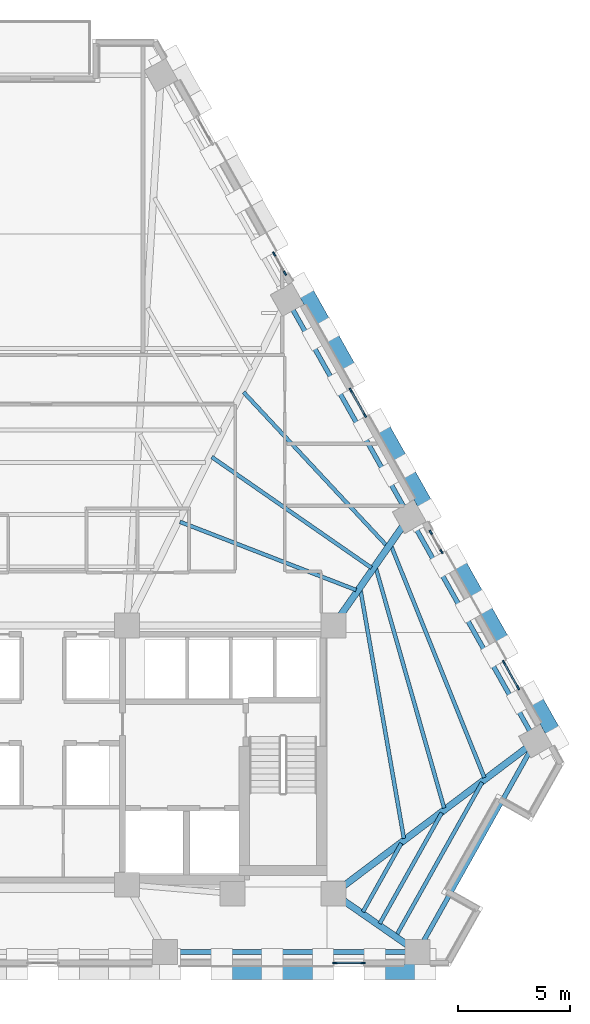
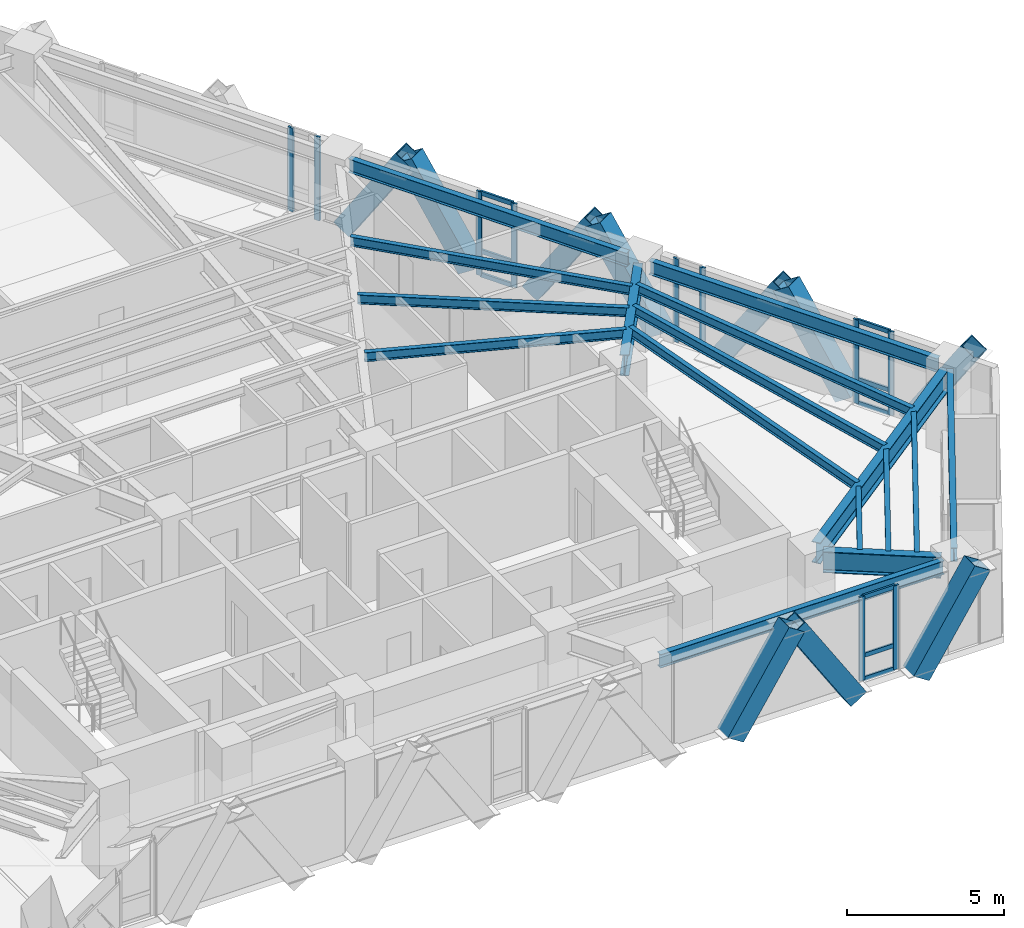
# One storey, part 4 of 13: 29 members, 16 beams, 5 elements without a shape of their own.
"""IFC4 building model written with IfcOpenShell, lengths in metres."""

from ifc_helpers import new_model, si_unit, direction, frame, origin, origin_2d, place, context, subcontext, project, spatial, rectangle, hollow_rectangle, i_section, extrude, material, material_profile, profile_set, type_object, element, aggregate, save


model = new_model("IFC4")

# Units and contexts
model_context = context("Model", 3, precision=1e-05, world=origin(), true_north=direction((0.0, 1.0)))
body_context = subcontext(model_context, "Body", "Model", "MODEL_VIEW")
ifc_project = project(units=[si_unit("LENGTHUNIT", "METRE"), si_unit("AREAUNIT", "SQUARE_METRE"), si_unit("VOLUMEUNIT", "CUBIC_METRE"), si_unit("PLANEANGLEUNIT", "RADIAN"), si_unit("MASSUNIT", "GRAM", prefix="KILO")], contexts=[model_context])

# Site, building, storey
site_placement = place(None, origin())
site = spatial("IfcSite", under=ifc_project, at=site_placement, CompositionType="ELEMENT")
building_placement = place(site_placement, origin())
building = spatial("IfcBuilding", under=site, at=building_placement, Name="Quenlor Broadcast Tower", CompositionType="ELEMENT")
storey_placement = place(building_placement, frame((0.0, 0.0, 95.0)))
storey = spatial("IfcBuildingStorey", under=building, at=storey_placement, Name="L25", CompositionType="ELEMENT", Elevation=95.0)

# Curtain wall, members
ifc_material_1 = material(Name="Architectural Terracotta and Low-E Glazing", Category="masonry")
curtain_wall_type = type_object("IfcCurtainWallType", Name="Unitised Terracotta Curtain Wall System Z2", PredefinedType="NOTDEFINED", material=ifc_material_1)
curtain_wall_1_placement = place(storey_placement, origin())
curtain_wall_1 = element("IfcCurtainWall", 1, at=curtain_wall_1_placement, inside=storey, type_object=curtain_wall_type, Name="L25 Curtain Wall CW2 (L25-SA-G1)", PredefinedType="NOTDEFINED")
ifc_material_2 = material(Name="Aluminium 6063-T6", Category="aluminium")
ifc_material_profile_1 = material_profile(ifc_material_2, rectangle(XDim=0.074951171875, YDim=0.199951171875, at=origin_2d()))
ifc_profile_set_1 = profile_set([ifc_material_profile_1], Name="Aluminium 6063-T6 MULL75x200")
member_type_1 = type_object("IfcMemberType", Name="CW2 Aluminium Mullion MULL_CW2", PredefinedType="MULLION", material=ifc_profile_set_1)
member_1_placement = place(storey_placement, frame((14.254150390625, -19.840087890625, 0.0), z_axis=(0.0, 0.0, 1.0), x_axis=(0.0, -1.0, 0.0)))
member_1 = element("IfcMember", 2, at=member_1_placement, type_object=member_type_1, Name="CW2 mullion 1", PredefinedType="MULLION", context=body_context, shape_type="SweptSolid", body=[
    extrude(rectangle(XDim=0.074951171875, YDim=0.199951171875, at=origin_2d()), origin(), (0.0, 0.0, 1.0), 3.25),
])
member_2_placement = place(storey_placement, frame((13.01611328125, -19.840087890625, 0.0), z_axis=(0.0, 0.0, 1.0), x_axis=(0.0, -1.0, 0.0)))
member_2 = element("IfcMember", 3, at=member_2_placement, type_object=member_type_1, Name="CW2 mullion 2", PredefinedType="MULLION", context=body_context, shape_type="SweptSolid", body=[
    extrude(rectangle(XDim=0.074951171875, YDim=0.199951171875, at=origin_2d()), origin(), (0.0, 0.0, 1.0), 3.25),
])

curtain_wall_2_placement = place(storey_placement, origin())
curtain_wall_2 = element("IfcCurtainWall", 4, at=curtain_wall_2_placement, inside=storey, type_object=curtain_wall_type, Name="L25 Curtain Wall CW2 (L25-NEA-G2)", PredefinedType="NOTDEFINED")
member_3_placement = place(storey_placement, frame((10.306396484375, 11.751220703125, 0.0), z_axis=(0.0, 0.0, 1.0), x_axis=(0.871580587336, 0.490252261371, 0.0)))
member_3 = element("IfcMember", 5, at=member_3_placement, type_object=member_type_1, Name="CW2 mullion 1", PredefinedType="MULLION", context=body_context, shape_type="SweptSolid", body=[
    extrude(rectangle(XDim=0.074951171875, YDim=0.199951171875, at=origin_2d()), origin(), (0.0, 0.0, 1.0), 3.25),
])
member_4_placement = place(storey_placement, frame((10.7880859375, 10.894775390625, 0.0), z_axis=(0.0, 0.0, 1.0), x_axis=(0.871580587336, 0.490252261371, 0.0)))
member_4 = element("IfcMember", 6, at=member_4_placement, type_object=member_type_1, Name="CW2 mullion 2", PredefinedType="MULLION", context=body_context, shape_type="SweptSolid", body=[
    extrude(rectangle(XDim=0.074951171875, YDim=0.199951171875, at=origin_2d()), origin(), (0.0, 0.0, 1.0), 3.25),
])
aggregate(curtain_wall_2, [member_3, member_4])

curtain_wall_3_placement = place(storey_placement, origin())
curtain_wall_3 = element("IfcCurtainWall", 7, at=curtain_wall_3_placement, inside=storey, type_object=curtain_wall_type, Name="L25 Curtain Wall CW2 (L25-NEC-G1)", PredefinedType="NOTDEFINED")
member_5_placement = place(storey_placement, frame((17.282958984375, -0.651611328125, 0.0), z_axis=(0.0, 0.0, 1.0), x_axis=(0.871580587336, 0.490252261371, 0.0)))
member_5 = element("IfcMember", 8, at=member_5_placement, type_object=member_type_1, Name="CW2 mullion 1", PredefinedType="MULLION", context=body_context, shape_type="SweptSolid", body=[
    extrude(rectangle(XDim=0.074951171875, YDim=0.199951171875, at=origin_2d()), origin(), (0.0, 0.0, 1.0), 3.25),
])
member_6_placement = place(storey_placement, frame((17.7646484375, -1.508056640625, 0.0), z_axis=(0.0, 0.0, 1.0), x_axis=(0.871580587336, 0.490252261371, 0.0)))
member_6 = element("IfcMember", 9, at=member_6_placement, type_object=member_type_1, Name="CW2 mullion 2", PredefinedType="MULLION", context=body_context, shape_type="SweptSolid", body=[
    extrude(rectangle(XDim=0.074951171875, YDim=0.199951171875, at=origin_2d()), origin(), (0.0, 0.0, 1.0), 3.25),
])
aggregate(curtain_wall_3, [member_5, member_6])

curtain_wall_4_placement = place(storey_placement, origin())
curtain_wall_4 = element("IfcCurtainWall", 10, at=curtain_wall_4_placement, inside=storey, type_object=curtain_wall_type, Name="L25 Curtain Wall CW2 (L25-NEC-G2)", PredefinedType="NOTDEFINED")
member_7_placement = place(storey_placement, frame((20.545654296875, -6.451904296875, 0.0), z_axis=(0.0, 0.0, 1.0), x_axis=(0.871565749621, 0.490278639232, 0.0)))
member_7 = element("IfcMember", 11, at=member_7_placement, type_object=member_type_1, Name="CW2 mullion 1", PredefinedType="MULLION", context=body_context, shape_type="SweptSolid", body=[
    extrude(rectangle(XDim=0.074951171875, YDim=0.199951171875, at=origin_2d()), origin(), (0.0, 0.0, 1.0), 3.25),
])
member_8_placement = place(storey_placement, frame((21.177734375, -7.57568359375, 0.0), z_axis=(0.0, 0.0, 1.0), x_axis=(0.871565749621, 0.490278639232, 0.0)))
member_8 = element("IfcMember", 12, at=member_8_placement, type_object=member_type_1, Name="CW2 mullion 2", PredefinedType="MULLION", context=body_context, shape_type="SweptSolid", body=[
    extrude(rectangle(XDim=0.074951171875, YDim=0.199951171875, at=origin_2d()), origin(), (0.0, 0.0, 1.0), 3.25),
])

curtain_wall_5_placement = place(storey_placement, origin())
curtain_wall_5 = element("IfcCurtainWall", 13, at=curtain_wall_5_placement, inside=storey, type_object=curtain_wall_type, Name="L25 Curtain Wall CW2 (L25-NE-G1)", PredefinedType="NOTDEFINED")
member_9_placement = place(storey_placement, frame((13.719482421875, 5.683349609375, 0.0), z_axis=(0.0, 0.0, 1.0), x_axis=(0.871579452423, 0.490254279037, 0.0)))
member_9 = element("IfcMember", 14, at=member_9_placement, type_object=member_type_1, Name="CW2 mullion 1", PredefinedType="MULLION", context=body_context, shape_type="SweptSolid", body=[
    extrude(rectangle(XDim=0.074951171875, YDim=0.199951171875, at=origin_2d()), origin(), (0.0, 0.0, 1.0), 3.25),
])
member_10_placement = place(storey_placement, frame((14.3515625, 4.559814453125, 0.0), z_axis=(0.0, 0.0, 1.0), x_axis=(0.871579452423, 0.490254279037, 0.0)))
member_10 = element("IfcMember", 15, at=member_10_placement, type_object=member_type_1, Name="CW2 mullion 2", PredefinedType="MULLION", context=body_context, shape_type="SweptSolid", body=[
    extrude(rectangle(XDim=0.074951171875, YDim=0.199951171875, at=origin_2d()), origin(), (0.0, 0.0, 1.0), 3.25),
])

# Member
ifc_material_3 = material(Name="Aluminium 6063-T6", Category="aluminium")
ifc_material_profile_2 = material_profile(ifc_material_3, rectangle(XDim=0.074951171875, YDim=0.1650390625, at=origin_2d()))
ifc_profile_set_2 = profile_set([ifc_material_profile_2], Name="Aluminium 6063-T6 TRAN75x165")
member_type_2 = type_object("IfcMemberType", Name="CW2 Aluminium Transom TRAN_CW2", PredefinedType="USERDEFINED", material=ifc_profile_set_2)
member_11_placement = place(storey_placement, frame((14.216796875, -19.840087890625, 0.03759765625), z_axis=(-1.0, 0.0, 0.0), x_axis=(0.0, -1.0, 0.0)))
member_11 = element("IfcMember", 16, at=member_11_placement, type_object=member_type_2, Name="CW2 transom 1.1", ObjectType="TRANSOM", PredefinedType="USERDEFINED", context=body_context, shape_type="SweptSolid", body=[
    extrude(rectangle(XDim=0.074951171875, YDim=0.1650390625, at=origin_2d()), origin(), (0.0, 0.0, 1.0), 1.1630859375),
])

member_12_placement = place(storey_placement, frame((14.216796875, -19.840087890625, 0.949951171875), z_axis=(-1.0, 0.0, 0.0), x_axis=(0.0, -1.0, 0.0)))
member_12 = element("IfcMember", 17, at=member_12_placement, type_object=member_type_2, Name="CW2 transom 1.2", ObjectType="TRANSOM", PredefinedType="USERDEFINED", context=body_context, shape_type="SweptSolid", body=[
    extrude(rectangle(XDim=0.074951171875, YDim=0.1650390625, at=origin_2d()), origin(), (0.0, 0.0, 1.0), 1.1630859375),
])

member_13_placement = place(storey_placement, frame((14.216796875, -19.840087890625, 3.21240234375), z_axis=(-1.0, 0.0, 0.0), x_axis=(0.0, -1.0, 0.0)))
member_13 = element("IfcMember", 18, at=member_13_placement, type_object=member_type_2, Name="CW2 transom 1.3", ObjectType="TRANSOM", PredefinedType="USERDEFINED", context=body_context, shape_type="SweptSolid", body=[
    extrude(rectangle(XDim=0.074951171875, YDim=0.1650390625, at=origin_2d()), origin(), (0.0, 0.0, 1.0), 1.1630859375),
])

aggregate(curtain_wall_1, [member_1, member_2, member_11, member_12, member_13])

member_14_placement = place(storey_placement, frame((20.56396484375, -6.484619140625, 0.03759765625), z_axis=(0.490347143438, -0.871527210661, 0.0), x_axis=(0.871527210661, 0.490347143438, 0.0)))
member_14 = element("IfcMember", 19, at=member_14_placement, type_object=member_type_2, Name="CW2 transom 1.1", ObjectType="TRANSOM", PredefinedType="USERDEFINED", context=body_context, shape_type="SweptSolid", body=[
    extrude(rectangle(XDim=0.074951171875, YDim=0.1650390625, at=origin_2d()), origin(), (0.0, 0.0, 1.0), 1.21435546875),
])

member_15_placement = place(storey_placement, frame((20.56396484375, -6.484619140625, 0.949951171875), z_axis=(0.490347143438, -0.871527210661, 0.0), x_axis=(0.871527210661, 0.490347143438, 0.0)))
member_15 = element("IfcMember", 20, at=member_15_placement, type_object=member_type_2, Name="CW2 transom 1.2", ObjectType="TRANSOM", PredefinedType="USERDEFINED", context=body_context, shape_type="SweptSolid", body=[
    extrude(rectangle(XDim=0.074951171875, YDim=0.1650390625, at=origin_2d()), origin(), (0.0, 0.0, 1.0), 1.21435546875),
])

member_16_placement = place(storey_placement, frame((20.56396484375, -6.484619140625, 3.21240234375), z_axis=(0.490347143438, -0.871527210661, 0.0), x_axis=(0.871527210661, 0.490347143438, 0.0)))
member_16 = element("IfcMember", 21, at=member_16_placement, type_object=member_type_2, Name="CW2 transom 1.3", ObjectType="TRANSOM", PredefinedType="USERDEFINED", context=body_context, shape_type="SweptSolid", body=[
    extrude(rectangle(XDim=0.074951171875, YDim=0.1650390625, at=origin_2d()), origin(), (0.0, 0.0, 1.0), 1.21435546875),
])

aggregate(curtain_wall_4, [member_7, member_8, member_14, member_15, member_16])

member_17_placement = place(storey_placement, frame((13.73779296875, 5.650634765625, 0.03759765625), z_axis=(0.490433072585, -0.871478858788, 0.0), x_axis=(0.871478858788, 0.490433072585, 0.0)))
member_17 = element("IfcMember", 22, at=member_17_placement, type_object=member_type_2, Name="CW2 transom 1.1", ObjectType="TRANSOM", PredefinedType="USERDEFINED", context=body_context, shape_type="SweptSolid", body=[
    extrude(rectangle(XDim=0.074951171875, YDim=0.1650390625, at=origin_2d()), origin(), (0.0, 0.0, 1.0), 1.214111328125),
])

member_18_placement = place(storey_placement, frame((13.73779296875, 5.650634765625, 0.949951171875), z_axis=(0.490433072585, -0.871478858788, 0.0), x_axis=(0.871478858788, 0.490433072585, 0.0)))
member_18 = element("IfcMember", 23, at=member_18_placement, type_object=member_type_2, Name="CW2 transom 1.2", ObjectType="TRANSOM", PredefinedType="USERDEFINED", context=body_context, shape_type="SweptSolid", body=[
    extrude(rectangle(XDim=0.074951171875, YDim=0.1650390625, at=origin_2d()), origin(), (0.0, 0.0, 1.0), 1.214111328125),
])

member_19_placement = place(storey_placement, frame((13.73779296875, 5.650634765625, 3.21240234375), z_axis=(0.490433072585, -0.871478858788, 0.0), x_axis=(0.871478858788, 0.490433072585, 0.0)))
member_19 = element("IfcMember", 24, at=member_19_placement, type_object=member_type_2, Name="CW2 transom 1.3", ObjectType="TRANSOM", PredefinedType="USERDEFINED", context=body_context, shape_type="SweptSolid", body=[
    extrude(rectangle(XDim=0.074951171875, YDim=0.1650390625, at=origin_2d()), origin(), (0.0, 0.0, 1.0), 1.214111328125),
])

aggregate(curtain_wall_5, [member_9, member_10, member_17, member_18, member_19])

# Members
ifc_material_4 = material(Name="Steel S355", Category="steel")
ifc_material_profile_3 = material_profile(ifc_material_4, hollow_rectangle(XDim=0.679931640625, YDim=0.679931640625, WallThickness=0.030029296875, at=origin_2d()))
ifc_profile_set_3 = profile_set([ifc_material_profile_3], Name="Steel S355 RHS680x680x30")
member_type_3 = type_object("IfcMemberType", Name="Perimeter Diagonal Lattice Brace Z2 Steel S355 RHS680x30", PredefinedType="BRACE", material=ifc_profile_set_3)
for number, where, z_axis, x_axis, name in (
    (25, (12.4853515625, -20.235107421875, -0.1201171875), (-0.539968035679, 0.0, 0.841685523485), (0.0, -1.0, 0.0), "L25 Perimeter Diamond Lattice S-C1S"),
    (26, (14.78515625, -20.235107421875, -0.1201171875), (0.539968035679, 0.0, 0.841685523485), (0.0, 1.0, 0.0), "L25 Perimeter Diamond Lattice S-C1B"),
    (27, (7.967529296875, -20.235107421875, -0.1201171875), (0.539968035679, 0.0, 0.841685523485), (0.0, 1.0, 0.0), "L25 Perimeter Diamond Lattice S-C2B"),
):
    element("IfcMember", number, at=place(storey_placement, frame(where, z_axis=z_axis, x_axis=x_axis)), inside=storey, type_object=member_type_3, Name=name, PredefinedType="BRACE", context=body_context, shape_type="SweptSolid", body=[
        extrude(hollow_rectangle(XDim=0.679931640625, YDim=0.679931640625, WallThickness=0.030029296875, at=origin_2d()), origin(), (0.0, 0.0, 1.0), 4.158203125),
    ])
member_20_placement = place(storey_placement, frame((11.54248046875, 10.359619140625, -0.1201171875), z_axis=(0.268634887212, -0.477637964099, 0.83647909276), x_axis=(0.871603971106, 0.490210686901, 0.0)))
element("IfcMember", 28, at=member_20_placement, inside=storey, type_object=member_type_3, Name="L25 Perimeter Diamond Lattice NE-C2S", PredefinedType="BRACE", context=body_context, shape_type="SweptSolid", body=[
    extrude(hollow_rectangle(XDim=0.679931640625, YDim=0.679931640625, WallThickness=0.030029296875, at=origin_2d()), origin(), (0.0, 0.0, 1.0), 4.184326171875),
])
for number, where, z_axis, x_axis, name in (
    (29, (14.955322265625, 4.291748046875, -0.1201171875), (0.268696511206, -0.477585438485, 0.836489290913), (0.871532878923, 0.490337068716, 0.0), "L25 Perimeter Diamond Lattice NE-C3S"),
    (30, (13.80419921875, 6.338623046875, -0.1201171875), (-0.268642373731, 0.477592925498, 0.83650240439), (-0.871578380919, -0.490256183964, 0.0), "L25 Perimeter Diamond Lattice NE-C3B"),
    (31, (18.368408203125, -1.77587890625, -0.1201171875), (0.268696511206, -0.477585438485, 0.836489290913), (0.871532878923, 0.490337068716, 0.0), "L25 Perimeter Diamond Lattice NE-C4S"),
    (32, (17.21728515625, 0.27099609375, -0.1201171875), (-0.268696511206, 0.477585438485, 0.836489290913), (-0.871532878923, -0.490337068716, 0.0), "L25 Perimeter Diamond Lattice NE-C4B"),
    (33, (21.781494140625, -7.843505859375, -0.1201171875), (0.268696511206, -0.477585438485, 0.836489290913), (0.871532878923, 0.490337068716, 0.0), "L25 Perimeter Diamond Lattice NE-C5S"),
    (34, (20.63037109375, -5.796630859375, -0.1201171875), (-0.268696511206, 0.477585438485, 0.836489290913), (-0.871532878923, -0.490337068716, 0.0), "L25 Perimeter Diamond Lattice NE-C5B"),
):
    element("IfcMember", number, at=place(storey_placement, frame(where, z_axis=z_axis, x_axis=x_axis)), inside=storey, type_object=member_type_3, Name=name, PredefinedType="BRACE", context=body_context, shape_type="SweptSolid", body=[
        extrude(hollow_rectangle(XDim=0.679931640625, YDim=0.679931640625, WallThickness=0.030029296875, at=origin_2d()), origin(), (0.0, 0.0, 1.0), 4.18408203125),
    ])

# Beams
ifc_material_5 = material(Name="Steel S355", Category="steel")
ifc_material_profile_4 = material_profile(ifc_material_5, i_section(OverallWidth=0.208984375, OverallDepth=0.5283203125, WebThickness=0.009521484375, FlangeThickness=0.01318359375, FilletRadius=0.013916015625, at=origin_2d()))
ifc_profile_set_4 = profile_set([ifc_material_profile_4], Name="Steel S355 530UB82.0")
beam_type_1 = type_object("IfcBeamType", Name="Perimeter Spandrel Beam Z2 Steel S355 530UB82.0", PredefinedType="SPANDREL", material=ifc_profile_set_4)
beam_1_placement = place(storey_placement, frame((5.853271484375, -19.35009765625, 2.98583984375), z_axis=(1.0, 0.0, 0.0), x_axis=(0.0, 1.0, 0.0)))
element("IfcBeam", 35, at=beam_1_placement, inside=storey, type_object=beam_type_1, Name="L25 Spandrel Beam S3-S4", PredefinedType="SPANDREL", context=body_context, shape_type="SweptSolid", body=[
    extrude(i_section(OverallWidth=0.208984375, OverallDepth=0.5283203125, WebThickness=0.009521484375, FlangeThickness=0.01318359375, FilletRadius=0.013916015625, at=origin_2d()), origin(), (0.0, 0.0, 1.0), 10.42919921875),
])
beam_2_placement = place(storey_placement, frame((16.892822265625, -18.9921875, 2.98583984375), z_axis=(0.488749102779, 0.872424389006, 0.0), x_axis=(-0.872424389006, 0.488749102779, 0.0)))
element("IfcBeam", 36, at=beam_2_placement, inside=storey, type_object=beam_type_1, Name="L25 Spandrel Beam S4-NE1", PredefinedType="SPANDREL", context=body_context, shape_type="SweptSolid", body=[
    extrude(i_section(OverallWidth=0.208984375, OverallDepth=0.5283203125, WebThickness=0.009521484375, FlangeThickness=0.01318359375, FilletRadius=0.013916015625, at=origin_2d()), origin(), (0.0, 0.0, 1.0), 9.947021484375),
])
beam_3_placement = place(storey_placement, frame((21.753662109375, -9.59912109375, 2.98583984375), z_axis=(-0.490263415828, 0.871574313011, 0.0), x_axis=(-0.871574313011, -0.490263415828, 0.0)))
element("IfcBeam", 37, at=beam_3_placement, inside=storey, type_object=beam_type_1, Name="L25 Spandrel Beam NE1-NE2", PredefinedType="SPANDREL", context=body_context, shape_type="SweptSolid", body=[
    extrude(i_section(OverallWidth=0.208984375, OverallDepth=0.5283203125, WebThickness=0.009521484375, FlangeThickness=0.01318359375, FilletRadius=0.013916015625, at=origin_2d()), origin(), (0.0, 0.0, 1.0), 10.65283203125),
])
beam_4_placement = place(storey_placement, frame((16.129150390625, 0.400146484375, 2.98583984375), z_axis=(-0.49026462139, 0.871573634878, 0.0), x_axis=(-0.871573634878, -0.49026462139, 0.0)))
element("IfcBeam", 38, at=beam_4_placement, inside=storey, type_object=beam_type_1, Name="L25 Spandrel Beam NE2-NE3", PredefinedType="SPANDREL", context=body_context, shape_type="SweptSolid", body=[
    extrude(i_section(OverallWidth=0.208984375, OverallDepth=0.5283203125, WebThickness=0.009521484375, FlangeThickness=0.01318359375, FilletRadius=0.013916015625, at=origin_2d()), origin(), (0.0, 0.0, 1.0), 10.28271484375),
])
ifc_material_6 = material(Name="Steel S355", Category="steel")
ifc_material_profile_5 = material_profile(ifc_material_6, i_section(OverallWidth=0.300048828125, OverallDepth=0.81591796875, WebThickness=0.013916015625, FlangeThickness=0.028076171875, FilletRadius=0.013916015625, at=origin_2d()))
ifc_profile_set_5 = profile_set([ifc_material_profile_5], Name="Steel S355 800WB192")
beam_type_2 = type_object("IfcBeamType", Name="Sky Lobby Primary Girder Steel S355 800WB192", PredefinedType="BEAM", material=ifc_profile_set_5)
beam_5_placement = place(storey_placement, frame((16.355712890625, -19.1162109375, 2.842041015625), z_axis=(-0.821227395059, 0.570601056436, 0.0), x_axis=(-0.570601056436, -0.821227395059, 0.0)))
element("IfcBeam", 39, at=beam_5_placement, inside=storey, type_object=beam_type_2, Name="L25 Primary Radial Beam S4", PredefinedType="BEAM", context=body_context, shape_type="SweptSolid", body=[
    extrude(i_section(OverallWidth=0.300048828125, OverallDepth=0.81591796875, WebThickness=0.013916015625, FlangeThickness=0.028076171875, FilletRadius=0.013916015625, at=origin_2d()), origin(), (0.0, 0.0, 1.0), 3.766845703125),
])
beam_6_placement = place(storey_placement, frame((21.62744140625, -10.203369140625, 2.842041015625), z_axis=(-0.798298724007, -0.602261693327, 0.0), x_axis=(0.602261693327, -0.798298724007, 0.0)))
element("IfcBeam", 40, at=beam_6_placement, inside=storey, type_object=beam_type_2, Name="L25 Primary Radial Beam NE1", PredefinedType="BEAM", context=body_context, shape_type="SweptSolid", body=[
    extrude(i_section(OverallWidth=0.300048828125, OverallDepth=0.81591796875, WebThickness=0.013916015625, FlangeThickness=0.028076171875, FilletRadius=0.013916015625, at=origin_2d()), origin(), (0.0, 0.0, 1.0), 10.48974609375),
])
beam_7_placement = place(storey_placement, frame((16.095458984375, -0.293212890625, 2.842041015625), z_axis=(-0.572337599985, -0.820018092266, 0.0), x_axis=(0.820018092266, -0.572337599985, 0.0)))
element("IfcBeam", 41, at=beam_7_placement, inside=storey, type_object=beam_type_2, Name="L25 Primary Radial Beam NE2", PredefinedType="BEAM", context=body_context, shape_type="SweptSolid", body=[
    extrude(i_section(OverallWidth=0.300048828125, OverallDepth=0.81591796875, WebThickness=0.013916015625, FlangeThickness=0.028076171875, FilletRadius=0.013916015625, at=origin_2d()), origin(), (0.0, 0.0, 1.0), 5.11572265625),
])
ifc_material_7 = material(Name="Steel S355", Category="steel")
ifc_material_profile_6 = material_profile(ifc_material_7, i_section(OverallWidth=0.172119140625, OverallDepth=0.358642578125, WebThickness=0.008056640625, FlangeThickness=0.012939453125, FilletRadius=0.011474609375, at=origin_2d()))
ifc_profile_set_6 = profile_set([ifc_material_profile_6], Name="Steel S355 360UB56.7")
beam_type_3 = type_object("IfcBeamType", Name="Tower Composite Joist Z2-Z3 Steel S355 360UB56.7", PredefinedType="JOIST", material=ifc_profile_set_6)
beam_8_placement = place(storey_placement, frame((13.95703125, -3.221435546875, 3.07080078125), z_axis=(-0.932542579586, 0.361060018916, 0.0), x_axis=(-0.361060018916, -0.932542579586, 0.0)))
element("IfcBeam", 42, at=beam_8_placement, inside=storey, type_object=beam_type_3, Name="L25 Secondary Composite Joist 10", PredefinedType="JOIST", context=body_context, shape_type="SweptSolid", body=[
    extrude(i_section(OverallWidth=0.172119140625, OverallDepth=0.358642578125, WebThickness=0.008056640625, FlangeThickness=0.012939453125, FilletRadius=0.011474609375, at=origin_2d()), origin(), (0.0, 0.0, 1.0), 8.416259765625),
])
beam_9_placement = place(storey_placement, frame((14.641845703125, -2.236083984375, 3.07080078125), z_axis=(-0.821385737622, 0.570373097219, 0.0), x_axis=(-0.570373097219, -0.821385737622, 0.0)))
element("IfcBeam", 43, at=beam_9_placement, inside=storey, type_object=beam_type_3, Name="L25 Secondary Composite Joist 11", PredefinedType="JOIST", context=body_context, shape_type="SweptSolid", body=[
    extrude(i_section(OverallWidth=0.172119140625, OverallDepth=0.358642578125, WebThickness=0.008056640625, FlangeThickness=0.012939453125, FilletRadius=0.011474609375, at=origin_2d()), origin(), (0.0, 0.0, 1.0), 8.662109375),
])
beam_10_placement = place(storey_placement, frame((15.3291015625, -1.254638671875, 3.07080078125), z_axis=(-0.681880655944, 0.73146344478, 0.0), x_axis=(-0.73146344478, -0.681880655944, 0.0)))
element("IfcBeam", 44, at=beam_10_placement, inside=storey, type_object=beam_type_3, Name="L25 Secondary Composite Joist 12", PredefinedType="JOIST", context=body_context, shape_type="SweptSolid", body=[
    extrude(i_section(OverallWidth=0.172119140625, OverallDepth=0.358642578125, WebThickness=0.008056640625, FlangeThickness=0.012939453125, FilletRadius=0.011474609375, at=origin_2d()), origin(), (0.0, 0.0, 1.0), 9.365234375),
])
beam_11_placement = place(storey_placement, frame((16.087890625, -14.29345703125, 3.07080078125), z_axis=(-0.172120396521, 0.985075920476, 0.0), x_axis=(-0.985075920476, -0.172120396521, 0.0)))
element("IfcBeam", 45, at=beam_11_placement, inside=storey, type_object=beam_type_3, Name="L25 Secondary Composite Joist 16", PredefinedType="JOIST", context=body_context, shape_type="SweptSolid", body=[
    extrude(i_section(OverallWidth=0.172119140625, OverallDepth=0.358642578125, WebThickness=0.008056640625, FlangeThickness=0.012939453125, FilletRadius=0.011474609375, at=origin_2d()), origin(), (0.0, 0.0, 1.0), 11.27783203125),
])
beam_12_placement = place(storey_placement, frame((17.880615234375, -12.9365234375, 3.07080078125), z_axis=(-0.273563993601, 0.96185380459, 0.0), x_axis=(-0.96185380459, -0.273563993601, 0.0)))
element("IfcBeam", 46, at=beam_12_placement, inside=storey, type_object=beam_type_3, Name="L25 Secondary Composite Joist 17", PredefinedType="JOIST", context=body_context, shape_type="SweptSolid", body=[
    extrude(i_section(OverallWidth=0.172119140625, OverallDepth=0.358642578125, WebThickness=0.008056640625, FlangeThickness=0.012939453125, FilletRadius=0.011474609375, at=origin_2d()), origin(), (0.0, 0.0, 1.0), 11.1484375),
])
beam_13_placement = place(storey_placement, frame((19.673583984375, -11.580810546875, 3.07080078125), z_axis=(-0.373180395983, 0.92775880058, 0.0), x_axis=(-0.92775880058, -0.373180395983, 0.0)))
element("IfcBeam", 47, at=beam_13_placement, inside=storey, type_object=beam_type_3, Name="L25 Secondary Composite Joist 18", PredefinedType="JOIST", context=body_context, shape_type="SweptSolid", body=[
    extrude(i_section(OverallWidth=0.172119140625, OverallDepth=0.358642578125, WebThickness=0.008056640625, FlangeThickness=0.012939453125, FilletRadius=0.011474609375, at=origin_2d()), origin(), (0.0, 0.0, 1.0), 11.143798828125),
])
beam_14_placement = place(storey_placement, frame((14.261474609375, -17.564208984375, 3.07080078125), z_axis=(0.488730779643, 0.87243465373, 0.0), x_axis=(-0.87243465373, 0.488730779643, 0.0)))
element("IfcBeam", 48, at=beam_14_placement, inside=storey, type_object=beam_type_3, Name="L25 Secondary Composite Joist 22", PredefinedType="JOIST", context=body_context, shape_type="SweptSolid", body=[
    extrude(i_section(OverallWidth=0.172119140625, OverallDepth=0.358642578125, WebThickness=0.008056640625, FlangeThickness=0.012939453125, FilletRadius=0.011474609375, at=origin_2d()), origin(), (0.0, 0.0, 1.0), 3.500732421875),
])
beam_15_placement = place(storey_placement, frame((15.010009765625, -18.084228515625, 3.07080078125), z_axis=(0.488741419435, 0.87242869332, 0.0), x_axis=(-0.87242869332, 0.488741419435, 0.0)))
element("IfcBeam", 49, at=beam_15_placement, inside=storey, type_object=beam_type_3, Name="L25 Secondary Composite Joist 23", PredefinedType="JOIST", context=body_context, shape_type="SweptSolid", body=[
    extrude(i_section(OverallWidth=0.172119140625, OverallDepth=0.358642578125, WebThickness=0.008056640625, FlangeThickness=0.012939453125, FilletRadius=0.011474609375, at=origin_2d()), origin(), (0.0, 0.0, 1.0), 5.654052734375),
])
beam_16_placement = place(storey_placement, frame((15.758544921875, -18.604248046875, 3.07080078125), z_axis=(0.488732857155, 0.872433489922, 0.0), x_axis=(-0.872433489922, 0.488732857155, 0.0)))
element("IfcBeam", 50, at=beam_16_placement, inside=storey, type_object=beam_type_3, Name="L25 Secondary Composite Joist 24", PredefinedType="JOIST", context=body_context, shape_type="SweptSolid", body=[
    extrude(i_section(OverallWidth=0.172119140625, OverallDepth=0.358642578125, WebThickness=0.008056640625, FlangeThickness=0.012939453125, FilletRadius=0.011474609375, at=origin_2d()), origin(), (0.0, 0.0, 1.0), 7.807861328125),
])

save(model, "model.ifc")
